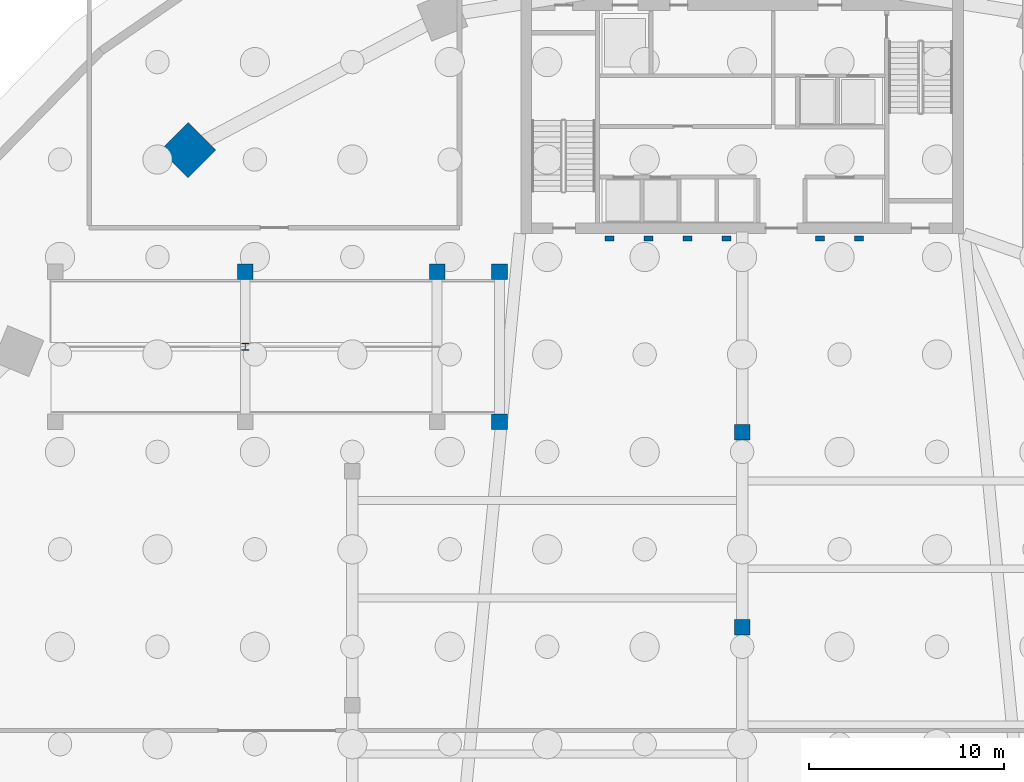
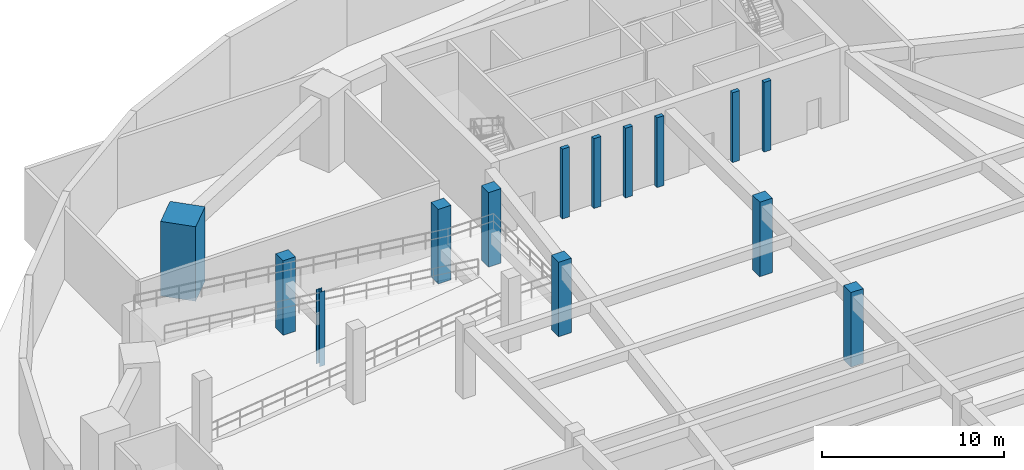
# One storey, part 2 of 11: 14 columns.
"""IFC4 building model written with IfcOpenShell, lengths in metres."""

from ifc_helpers import new_model, si_unit, direction, frame, origin, origin_2d, place, context, subcontext, project, spatial, rectangle, i_section, extrude, source, transform, mapped, material, material_profile, profile_set, type_object, type_shapes, element, save


model = new_model("IFC4")

# Units and contexts
model_context = context("Model", 3, precision=1e-05, world=origin(), true_north=direction((0.0, 1.0)))
body_context = subcontext(model_context, "Body", "Model", "MODEL_VIEW")
ifc_project = project(units=[si_unit("LENGTHUNIT", "METRE"), si_unit("AREAUNIT", "SQUARE_METRE"), si_unit("VOLUMEUNIT", "CUBIC_METRE"), si_unit("PLANEANGLEUNIT", "RADIAN"), si_unit("MASSUNIT", "GRAM", prefix="KILO")], contexts=[model_context])

# Site, building, storey
site_placement = place(None, origin())
site = spatial("IfcSite", under=ifc_project, at=site_placement, CompositionType="ELEMENT")
building_placement = place(site_placement, origin())
building = spatial("IfcBuilding", under=site, at=building_placement, Name="Breltana Convention Tower", CompositionType="ELEMENT")
storey_placement = place(building_placement, frame((0.0, 0.0, -10.0)))
storey = spatial("IfcBuildingStorey", under=building, at=storey_placement, Name="B02", CompositionType="ELEMENT", Elevation=-10.0)

# Columns
ifc_material_1 = material(Name="Concrete C60/75", Category="concrete")
ifc_material_profile_1 = material_profile(ifc_material_1, rectangle(XDim=2.0, YDim=2.0, at=origin_2d()), Name="RC-COL-2000X2000")
ifc_profile_set_1 = profile_set([ifc_material_profile_1], Name="Concrete C60/75")
column_type_1 = type_object("IfcColumnType", Name="COL-MC-2000", PredefinedType="COLUMN", material=ifc_profile_set_1)
shared_shape_1 = source(origin(), body_context, "Body", "SweptSolid", [
    extrude(rectangle(XDim=2.0, YDim=2.0, at=origin_2d()), origin(), (0.0, 0.0, 1.0), 5.0),
])
type_shapes(column_type_1, [shared_shape_1])
column_1_placement = place(storey_placement, frame((19.57421875, 64.486083984375, 0.0), z_axis=(0.0, 0.0, 1.0), x_axis=(-0.707106781187, 0.707106781187, 0.0)))
element("IfcColumn", 1, at=column_1_placement, inside=storey, type_object=column_type_1, Name="B02 Podium Mega-Column MC-07", PredefinedType="COLUMN", context=body_context, shape_type="MappedRepresentation", body=[
    mapped(shared_shape_1, transform((0.0, 0.0, 0.0), scale=1.0)),
])
ifc_material_2 = material(Name="Concrete C50/60", Category="concrete")
ifc_material_profile_2 = material_profile(ifc_material_2, rectangle(XDim=0.800048828125, YDim=0.800048828125, at=origin_2d()), Name="RC-COL-800X800")
ifc_profile_set_2 = profile_set([ifc_material_profile_2], Name="Concrete C50/60")
column_type_2 = type_object("IfcColumnType", Name="COL-RC-800", PredefinedType="COLUMN", material=ifc_profile_set_2)
shared_shape_2 = source(origin(), body_context, "Body", "SweptSolid", [
    extrude(rectangle(XDim=0.800048828125, YDim=0.800048828125, at=origin_2d()), origin(), (0.0, 0.0, 1.0), 5.0),
])
type_shapes(column_type_2, [shared_shape_2])
for number, where, z_axis, x_axis, name in (
    (2, (48.0, 40.0, 0.0), (0.0, 0.0, 1.0), (1.0, 0.0, 0.0), "B02 Basement Parking Grid Column BG-C2"),
    (3, (48.0, 50.0, 0.0), (0.0, 0.0, 1.0), (1.0, 0.0, 0.0), "B02 Basement Parking Grid Column BG-C3"),
    (4, (22.5, 58.25, 0.0), (0.0, 0.0, 1.0), (1.0, 0.0, 0.0), "B02 Vehicular Ramp Support Column 04"),
    (5, (32.35009765625, 58.25, 0.0), (0.0, 0.0, 1.0), (1.0, 0.0, 0.0), "B02 Vehicular Ramp Support Column 06"),
    (6, (35.550048828125, 50.550048828125, 0.0), (0.0, 0.0, 1.0), (1.0, 0.0, 0.0), "B02 Vehicular Ramp Support Column 07"),
    (7, (35.550048828125, 58.25, 0.0), (0.0, 0.0, 1.0), (1.0, 0.0, 0.0), "B02 Vehicular Ramp Support Column 08"),
):
    element("IfcColumn", number, at=place(storey_placement, frame(where, z_axis=z_axis, x_axis=x_axis)), inside=storey, type_object=column_type_2, Name=name, PredefinedType="COLUMN", context=body_context, shape_type="MappedRepresentation", body=[
        mapped(shared_shape_2, transform((0.0, 0.0, 0.0), scale=1.0)),
    ])
ifc_material_3 = material(Name="Steel ASTM A992 Grade 50", Category="steel")
ifc_material_profile_3 = material_profile(ifc_material_3, i_section(OverallWidth=0.368896484375, OverallDepth=0.35595703125, WebThickness=0.01123046875, FlangeThickness=0.01806640625, at=origin_2d()), Name="W14X90")
ifc_profile_set_3 = profile_set([ifc_material_profile_3], Name="Steel ASTM A992 Grade 50")
column_type_3 = type_object("IfcColumnType", Name="COL-STL-W14X90", PredefinedType="COLUMN", material=ifc_profile_set_3)
shared_shape_3 = source(origin(), body_context, "Body", "SweptSolid", [
    extrude(i_section(OverallWidth=0.368896484375, OverallDepth=0.35595703125, WebThickness=0.01123046875, FlangeThickness=0.01806640625, at=origin_2d()), origin(), (0.0, 0.0, 1.0), 5.0),
])
column_2_placement = place(storey_placement, frame((22.5, 54.39990234375, 0.0), z_axis=(0.0, 0.0, 1.0), x_axis=(1.0, 0.0, 0.0)))
element("IfcColumn", 8, at=column_2_placement, inside=storey, type_object=column_type_3, Name="B02 Vehicular Ramp Spine Column", PredefinedType="COLUMN", context=body_context, shape_type="MappedRepresentation", body=[
    mapped(shared_shape_3, transform((0.0, 0.0, 0.0), scale=1.0)),
])
ifc_material_4 = material(Name="Limestone Warm Buff Honed", Category="masonry")
ifc_material_profile_4 = material_profile(ifc_material_4, rectangle(XDim=0.449951171875, YDim=0.25, at=origin_2d()), Name="PIL-450X250")
ifc_profile_set_4 = profile_set([ifc_material_profile_4], Name="Limestone Warm Buff Honed")
column_type_4 = type_object("IfcColumnType", Name="COL-PILASTER-450", PredefinedType="PILASTER", material=ifc_profile_set_4)
shared_shape_4 = source(origin(), body_context, "Body", "SweptSolid", [
    extrude(rectangle(XDim=0.449951171875, YDim=0.25, at=origin_2d()), origin(), (0.0, 0.0, 1.0), 4.679931640625),
])
type_shapes(column_type_4, [shared_shape_4])
for number, where, z_axis, x_axis, name in (
    (9, (41.199951171875, 59.949951171875, 0.0), (0.0, 0.0, 1.0), (1.0, 0.0, 0.0), "B02 Concourse Core Pilaster 1"),
    (10, (43.199951171875, 59.949951171875, 0.0), (0.0, 0.0, 1.0), (1.0, 0.0, 0.0), "B02 Concourse Core Pilaster 2"),
    (11, (45.199951171875, 59.949951171875, 0.0), (0.0, 0.0, 1.0), (1.0, 0.0, 0.0), "B02 Concourse Core Pilaster 3"),
    (12, (47.199951171875, 59.949951171875, 0.0), (0.0, 0.0, 1.0), (1.0, 0.0, 0.0), "B02 Concourse Core Pilaster 4"),
    (13, (52.0, 59.949951171875, 0.0), (0.0, 0.0, 1.0), (1.0, 0.0, 0.0), "B02 Concourse Core Pilaster 5"),
    (14, (54.0, 59.949951171875, 0.0), (0.0, 0.0, 1.0), (1.0, 0.0, 0.0), "B02 Concourse Core Pilaster 6"),
):
    element("IfcColumn", number, at=place(storey_placement, frame(where, z_axis=z_axis, x_axis=x_axis)), inside=storey, type_object=column_type_4, Name=name, PredefinedType="PILASTER", context=body_context, shape_type="MappedRepresentation", body=[
        mapped(shared_shape_4, transform((0.0, 0.0, 0.0), scale=1.0)),
    ])

save(model, "model.ifc")
